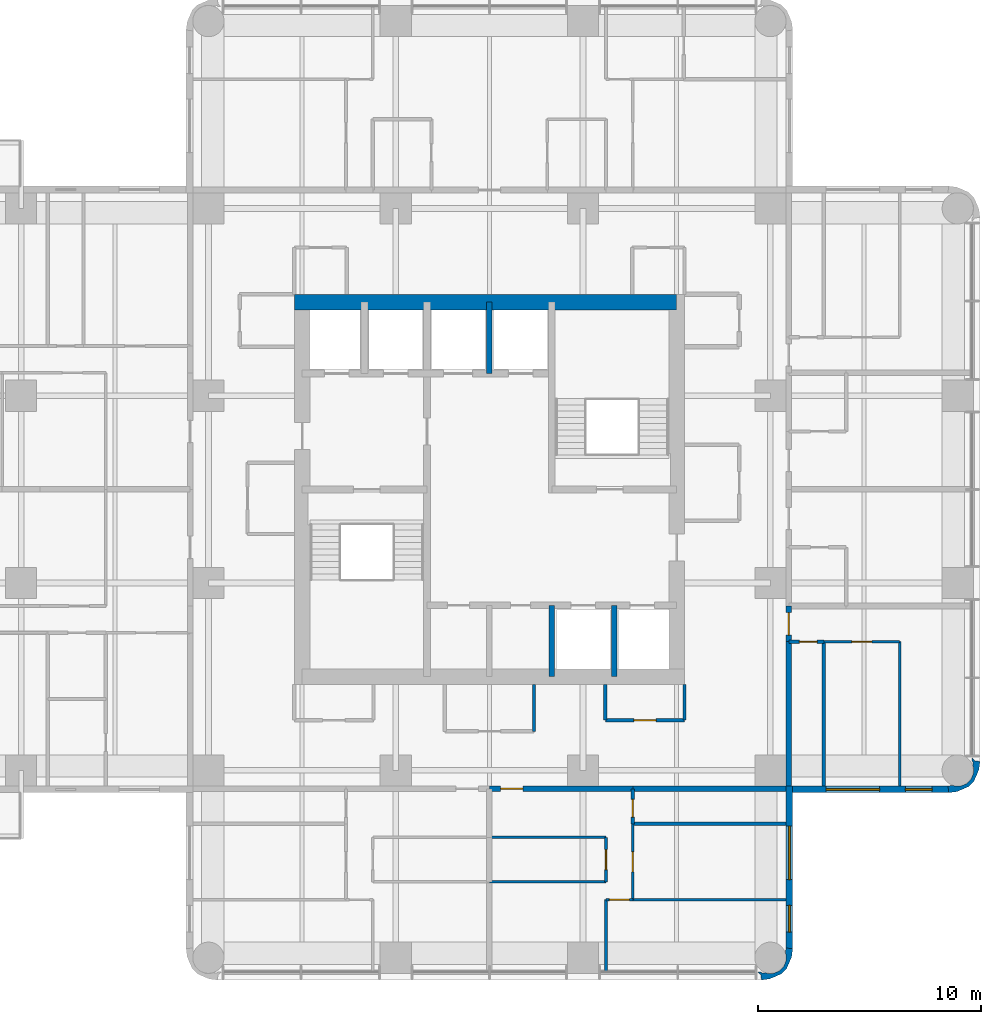
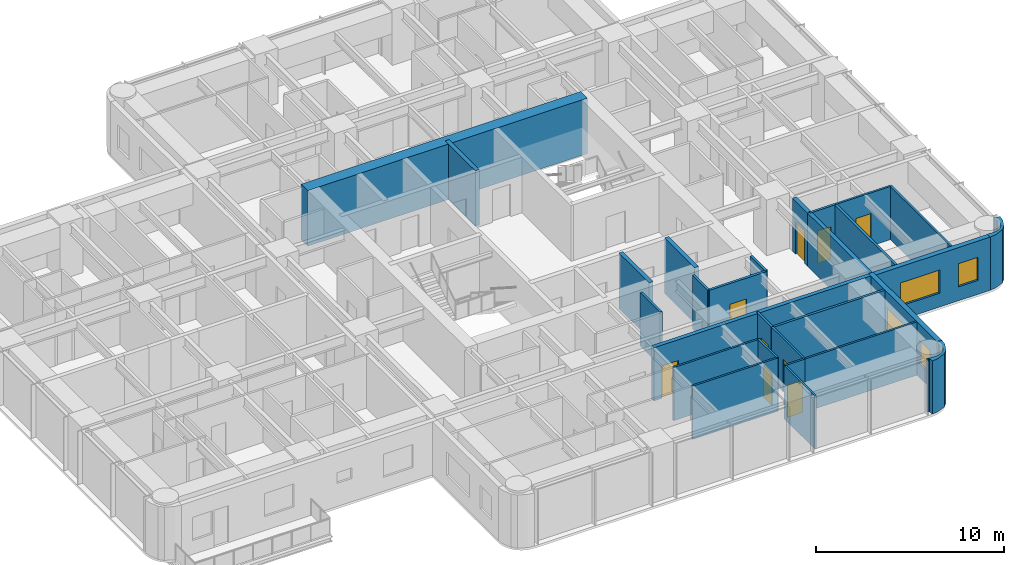
# One storey, part 7 of 11: 29 walls, 9 doors, 4 windows, 13 openings.
"""IFC4 building model written with IfcOpenShell, lengths in metres."""

from ifc_helpers import new_model, si_unit, direction, frame, frame_2d, origin, place, context, subcontext, project, spatial, polyline, rectangle, outline, extrude, material, layer, layer_set, type_object, element, fill, save


model = new_model("IFC4")

# Units and contexts
model_context = context("Model", 3, precision=1e-05, world=origin(), true_north=direction((0.0, 1.0)))
body_context = subcontext(model_context, "Body", "Model", "MODEL_VIEW")
ifc_project = project(units=[si_unit("LENGTHUNIT", "METRE"), si_unit("AREAUNIT", "SQUARE_METRE"), si_unit("VOLUMEUNIT", "CUBIC_METRE"), si_unit("PLANEANGLEUNIT", "RADIAN"), si_unit("MASSUNIT", "GRAM", prefix="KILO")], contexts=[model_context])

# Site, building, storey
site_placement = place(None, origin())
site = spatial("IfcSite", under=ifc_project, at=site_placement, CompositionType="ELEMENT")
building_placement = place(site_placement, origin())
building = spatial("IfcBuilding", under=site, at=building_placement, Name="Torre Alcanfor", CompositionType="ELEMENT")
storey_placement = place(building_placement, frame((0.0, 0.0, 230.10009765625)))
storey = spatial("IfcBuildingStorey", under=building, at=storey_placement, Name="L60", CompositionType="ELEMENT", Elevation=230.10009765625)

# Wall, opening, door
ifc_material_1 = material(Name="Concrete block masonry, hollow blocks NMX-C-404 9 MPa", Category="masonry")
ifc_layer_1 = layer(ifc_material_1, 0.25)
ifc_layer_set_1 = layer_set([ifc_layer_1], Name="Apartment entrance wall 250 EI 60")
wall_type_1 = type_object("IfcWallType", Name="Apartment entrance wall 250 EI 60", PredefinedType="PARTITIONING", material=ifc_layer_set_1)
wall_1_placement = place(storey_placement, frame((42.824951171875, 24.1708984375, 0.0), z_axis=(0.0, 0.0, 1.0), x_axis=(0.0, -1.0, 0.0)))
wall_1 = element("IfcWall", 1, at=wall_1_placement, inside=storey, type_object=wall_type_1, Name="Partition L60-CORR / L60-E2B-LIVING", PredefinedType="PARTITIONING", context=body_context, shape_type="SweptSolid", body=[
    extrude(rectangle(XDim=1.599853515625, YDim=0.25, at=frame_2d((0.7998046875, 0.0))), origin(), (0.0, 0.0, 1.0), 3.449951171875),
])
opening_1_placement = place(wall_1_placement, frame((0.300048828125, 0.0, 0.0)))
opening_1 = element("IfcOpeningElement", 2, at=opening_1_placement, cuts=wall_1, Name="Opening D-A1", PredefinedType="OPENING", context=body_context, shape_type="SweptSolid", body=[
    extrude(rectangle(XDim=1.0, YDim=2.10009765625, at=frame_2d((0.5, 1.050048828125))), frame((0.0, 0.135009765625, 0.0), z_axis=(0.0, -1.0, 0.0), x_axis=(1.0, 0.0, 0.0)), (0.0, 0.0, 1.0), 0.27001953125),
])
ifc_material_2 = material(Name="Galvanised steel sheet ASTM A653", Category="steel")
door_type_1 = type_object("IfcDoorType", Name="Apartment entrance door FD60 1000x2100", OperationType="SINGLE_SWING_LEFT", PredefinedType="DOOR", material=ifc_material_2)
door_1_placement = place(opening_1_placement, origin())
door_1 = element("IfcDoor", 3, at=door_1_placement, inside=storey, type_object=door_type_1, Name="Apartment entrance L60-E2B", OperationType="SINGLE_SWING_LEFT", OverallHeight=2.10009765625, OverallWidth=1.0, PredefinedType="DOOR", context=body_context, shape_type="SweptSolid", body=[
    extrude(rectangle(XDim=1.0, YDim=2.10009765625, at=frame_2d((0.5, 1.050048828125))), frame((0.0, 0.02490234375, 0.0), z_axis=(0.0, -1.0, 0.0), x_axis=(1.0, 0.0, 0.0)), (0.0, 0.0, 1.0), 0.050048828125),
])
fill(opening_1, door_1)

# Wall
wall_2_placement = place(storey_placement, frame((42.824951171875, 22.571044921875, 0.0), z_axis=(0.0, 0.0, 1.0), x_axis=(0.0, -1.0, 0.0)))
element("IfcWall", 4, at=wall_2_placement, inside=storey, type_object=wall_type_1, Name="Partition L60-CORR / L60-E2B-BATH", PredefinedType="PARTITIONING", context=body_context, shape_type="SweptSolid", body=[
    extrude(rectangle(XDim=6.470947265625, YDim=0.25, at=frame_2d((3.2353515625, 0.0))), origin(), (0.0, 0.0, 1.0), 3.449951171875),
])

# Wall, opening, door
wall_3_placement = place(storey_placement, frame((35.8291015625, 15.97509765625, 0.0), z_axis=(0.0, 0.0, 1.0), x_axis=(-1.0, 0.0, 0.0)))
wall_3 = element("IfcWall", 5, at=wall_3_placement, inside=storey, type_object=wall_type_1, Name="Partition L60-CORR / L60-S1-LIVING", PredefinedType="PARTITIONING", context=body_context, shape_type="SweptSolid", body=[
    extrude(rectangle(XDim=6.42919921875, YDim=0.25, at=frame_2d((3.214599609375, 0.0))), origin(), (0.0, 0.0, 1.0), 3.449951171875),
])
opening_2_placement = place(wall_3_placement, frame((4.928955078125, 0.0, 0.0)))
opening_2 = element("IfcOpeningElement", 6, at=opening_2_placement, cuts=wall_3, Name="Opening D-A1", PredefinedType="OPENING", context=body_context, shape_type="SweptSolid", body=[
    extrude(rectangle(XDim=1.0, YDim=2.10009765625, at=frame_2d((0.5, 1.050048828125))), frame((0.0, 0.135009765625, 0.0), z_axis=(0.0, -1.0, 0.0), x_axis=(1.0, 0.0, 0.0)), (0.0, 0.0, 1.0), 0.27001953125),
])
door_2_placement = place(opening_2_placement, origin())
door_2 = element("IfcDoor", 7, at=door_2_placement, inside=storey, type_object=door_type_1, Name="Apartment entrance L60-S1", OperationType="SINGLE_SWING_RIGHT", OverallHeight=2.10009765625, OverallWidth=1.0, PredefinedType="DOOR", context=body_context, shape_type="SweptSolid", body=[
    extrude(rectangle(XDim=1.0, YDim=2.10009765625, at=frame_2d((0.5, 1.050048828125))), frame((0.0, 0.02490234375, 0.0), z_axis=(0.0, -1.0, 0.0), x_axis=(1.0, 0.0, 0.0)), (0.0, 0.0, 1.0), 0.050048828125),
])
fill(opening_2, door_2)

# Walls
wall_4_placement = place(storey_placement, frame((42.699951171875, 15.97509765625, 0.0), z_axis=(0.0, 0.0, 1.0), x_axis=(-1.0, 0.0, 0.0)))
element("IfcWall", 8, at=wall_4_placement, inside=storey, type_object=wall_type_1, Name="Partition L60-CORR / L60-S1-BATH", PredefinedType="PARTITIONING", context=body_context, shape_type="SweptSolid", body=[
    extrude(rectangle(XDim=6.870849609375, YDim=0.25, at=frame_2d((3.435546875, 0.0))), origin(), (0.0, 0.0, 1.0), 3.449951171875),
])
ifc_material_3 = material(Name="Gypsum board on steel studs", Category="steel")
ifc_layer_2 = layer(ifc_material_3, 0.1201171875)
ifc_layer_set_2 = layer_set([ifc_layer_2], Name="Apartment partition 120")
wall_type_2 = type_object("IfcWallType", Name="Apartment partition 120", PredefinedType="PARTITIONING", material=ifc_layer_set_2)
wall_5_placement = place(storey_placement, frame((47.800048828125, 16.10009765625, 0.0), z_axis=(0.0, 0.0, 1.0), x_axis=(0.0, 1.0, 0.0)))
element("IfcWall", 9, at=wall_5_placement, inside=storey, type_object=wall_type_2, Name="Partition L60-E2B-LIVING / L60-E2B-MASTER", PredefinedType="PARTITIONING", context=body_context, shape_type="SweptSolid", body=[
    extrude(rectangle(XDim=6.470947265625, YDim=0.1201171875, at=frame_2d((3.2353515625, 0.0))), origin(), (0.0, 0.0, 1.0), 3.449951171875),
])

# Wall, opening, door
wall_6_placement = place(storey_placement, frame((47.800048828125, 22.571044921875, 0.0), z_axis=(0.0, 0.0, 1.0), x_axis=(-1.0, 0.0, 0.0)))
wall_6 = element("IfcWall", 10, at=wall_6_placement, inside=storey, type_object=wall_type_2, Name="Partition L60-E2B-LIVING / L60-E2B-MASTER", PredefinedType="PARTITIONING", context=body_context, shape_type="SweptSolid", body=[
    extrude(rectangle(XDim=3.400146484375, YDim=0.1201171875, at=frame_2d((1.7001953125, 0.0))), origin(), (0.0, 0.0, 1.0), 3.449951171875),
])
opening_3_placement = place(wall_6_placement, frame((1.25, 0.0, 0.0)))
opening_3 = element("IfcOpeningElement", 11, at=opening_3_placement, cuts=wall_6, Name="Opening D-R1", PredefinedType="OPENING", context=body_context, shape_type="SweptSolid", body=[
    extrude(rectangle(XDim=0.89990234375, YDim=2.10009765625, at=frame_2d((0.449951171875, 1.050048828125))), frame((0.0, 0.070068359375, 0.0), z_axis=(0.0, -1.0, 0.0), x_axis=(1.0, 0.0, 0.0)), (0.0, 0.0, 1.0), 0.14013671875),
])
ifc_material_4 = material(Name="Timber", Category="wood")
door_type_2 = type_object("IfcDoorType", Name="Internal door 900x2100", OperationType="SINGLE_SWING_LEFT", PredefinedType="DOOR", material=ifc_material_4)
door_3_placement = place(opening_3_placement, origin())
door_3 = element("IfcDoor", 12, at=door_3_placement, inside=storey, type_object=door_type_2, Name="Door L60-E2B master", OperationType="SINGLE_SWING_LEFT", OverallHeight=2.10009765625, OverallWidth=0.89990234375, PredefinedType="DOOR", context=body_context, shape_type="SweptSolid", body=[
    extrude(rectangle(XDim=0.89990234375, YDim=2.10009765625, at=frame_2d((0.449951171875, 1.050048828125))), frame((0.0, 0.02490234375, 0.0), z_axis=(0.0, -1.0, 0.0), x_axis=(1.0, 0.0, 0.0)), (0.0, 0.0, 1.0), 0.050048828125),
])
fill(opening_3, door_3)

# Wall
wall_7_placement = place(storey_placement, frame((29.39990234375, 11.800048828125, 0.0), z_axis=(0.0, 0.0, 1.0), x_axis=(1.0, 0.0, 0.0)))
element("IfcWall", 13, at=wall_7_placement, inside=storey, type_object=wall_type_2, Name="Partition L60-S1-KITCHEN / L60-S1-LIVING", PredefinedType="PARTITIONING", context=body_context, shape_type="SweptSolid", body=[
    extrude(rectangle(XDim=5.22900390625, YDim=0.1201171875, at=frame_2d((2.614501953125, 0.0))), origin(), (0.0, 0.0, 1.0), 3.449951171875),
])

# Wall, opening, door
wall_8_placement = place(storey_placement, frame((34.62890625, 11.800048828125, 0.0), z_axis=(0.0, 0.0, 1.0), x_axis=(0.0, 1.0, 0.0)))
wall_8 = element("IfcWall", 14, at=wall_8_placement, inside=storey, type_object=wall_type_2, Name="Partition L60-S1-KITCHEN / L60-S1-LIVING", PredefinedType="PARTITIONING", context=body_context, shape_type="SweptSolid", body=[
    extrude(rectangle(XDim=2.0, YDim=0.1201171875, at=frame_2d((1.0, 0.0))), origin(), (0.0, 0.0, 1.0), 3.449951171875),
])
opening_4_placement = place(wall_8_placement, frame((0.550048828125, 0.0, 0.0)))
opening_4 = element("IfcOpeningElement", 15, at=opening_4_placement, cuts=wall_8, Name="Opening D-R1", PredefinedType="OPENING", context=body_context, shape_type="SweptSolid", body=[
    extrude(rectangle(XDim=0.89990234375, YDim=2.10009765625, at=frame_2d((0.449951171875, 1.050048828125))), frame((0.0, 0.070068359375, 0.0), z_axis=(0.0, -1.0, 0.0), x_axis=(1.0, 0.0, 0.0)), (0.0, 0.0, 1.0), 0.14013671875),
])
door_4_placement = place(opening_4_placement, origin())
door_4 = element("IfcDoor", 16, at=door_4_placement, inside=storey, type_object=door_type_2, Name="Door L60-S1 kitchen", OperationType="SINGLE_SWING_LEFT", OverallHeight=2.10009765625, OverallWidth=0.89990234375, PredefinedType="DOOR", context=body_context, shape_type="SweptSolid", body=[
    extrude(rectangle(XDim=0.89990234375, YDim=2.10009765625, at=frame_2d((0.449951171875, 1.050048828125))), frame((0.0, 0.02490234375, 0.0), z_axis=(0.0, -1.0, 0.0), x_axis=(1.0, 0.0, 0.0)), (0.0, 0.0, 1.0), 0.050048828125),
])
fill(opening_4, door_4)

# Wall
wall_9_placement = place(storey_placement, frame((34.62890625, 13.800048828125, 0.0), z_axis=(0.0, 0.0, 1.0), x_axis=(-1.0, 0.0, 0.0)))
element("IfcWall", 17, at=wall_9_placement, inside=storey, type_object=wall_type_2, Name="Partition L60-S1-KITCHEN / L60-S1-LIVING", PredefinedType="PARTITIONING", context=body_context, shape_type="SweptSolid", body=[
    extrude(rectangle(XDim=5.22900390625, YDim=0.1201171875, at=frame_2d((2.614501953125, 0.0))), origin(), (0.0, 0.0, 1.0), 3.449951171875),
])

# Wall, opening, door
wall_10_placement = place(storey_placement, frame((35.8291015625, 14.39990234375, 0.0), z_axis=(0.0, 0.0, 1.0), x_axis=(0.0, -1.0, 0.0)))
wall_10 = element("IfcWall", 18, at=wall_10_placement, inside=storey, type_object=wall_type_2, Name="Partition L60-S1-LIVING / L60-S1-STUDY", PredefinedType="PARTITIONING", context=body_context, shape_type="SweptSolid", body=[
    extrude(rectangle(XDim=3.39990234375, YDim=0.1201171875, at=frame_2d((1.699951171875, 0.0))), origin(), (0.0, 0.0, 1.0), 3.449951171875),
])
opening_5_placement = place(wall_10_placement, frame((1.25, 0.0, 0.0)))
opening_5 = element("IfcOpeningElement", 19, at=opening_5_placement, cuts=wall_10, Name="Opening D-R1", PredefinedType="OPENING", context=body_context, shape_type="SweptSolid", body=[
    extrude(rectangle(XDim=0.89990234375, YDim=2.10009765625, at=frame_2d((0.449951171875, 1.050048828125))), frame((0.0, 0.070068359375, 0.0), z_axis=(0.0, -1.0, 0.0), x_axis=(1.0, 0.0, 0.0)), (0.0, 0.0, 1.0), 0.14013671875),
])
door_5_placement = place(opening_5_placement, origin())
door_5 = element("IfcDoor", 20, at=door_5_placement, inside=storey, type_object=door_type_2, Name="Door L60-S1 study", OperationType="SINGLE_SWING_LEFT", OverallHeight=2.10009765625, OverallWidth=0.89990234375, PredefinedType="DOOR", context=body_context, shape_type="SweptSolid", body=[
    extrude(rectangle(XDim=0.89990234375, YDim=2.10009765625, at=frame_2d((0.449951171875, 1.050048828125))), frame((0.0, 0.02490234375, 0.0), z_axis=(0.0, -1.0, 0.0), x_axis=(1.0, 0.0, 0.0)), (0.0, 0.0, 1.0), 0.050048828125),
])
fill(opening_5, door_5)

wall_11_placement = place(storey_placement, frame((35.8291015625, 11.0, 0.0), z_axis=(0.0, 0.0, 1.0), x_axis=(-1.0, 0.0, 0.0)))
wall_11 = element("IfcWall", 21, at=wall_11_placement, inside=storey, type_object=wall_type_2, Name="Partition L60-S1-LIVING / L60-S1-MASTER", PredefinedType="PARTITIONING", context=body_context, shape_type="SweptSolid", body=[
    extrude(rectangle(XDim=1.2001953125, YDim=0.1201171875, at=frame_2d((0.60009765625, 0.0))), origin(), (0.0, 0.0, 1.0), 3.449951171875),
])
opening_6_placement = place(wall_11_placement, frame((0.14892578125, 0.0, 0.0)))
opening_6 = element("IfcOpeningElement", 22, at=opening_6_placement, cuts=wall_11, Name="Opening D-R1", PredefinedType="OPENING", context=body_context, shape_type="SweptSolid", body=[
    extrude(rectangle(XDim=0.89990234375, YDim=2.10009765625, at=frame_2d((0.449951171875, 1.050048828125))), frame((0.0, 0.070068359375, 0.0), z_axis=(0.0, -1.0, 0.0), x_axis=(1.0, 0.0, 0.0)), (0.0, 0.0, 1.0), 0.14013671875),
])
door_6_placement = place(opening_6_placement, origin())
door_6 = element("IfcDoor", 23, at=door_6_placement, inside=storey, type_object=door_type_2, Name="Door L60-S1 master", OperationType="SINGLE_SWING_RIGHT", OverallHeight=2.10009765625, OverallWidth=0.89990234375, PredefinedType="DOOR", context=body_context, shape_type="SweptSolid", body=[
    extrude(rectangle(XDim=0.89990234375, YDim=2.10009765625, at=frame_2d((0.449951171875, 1.050048828125))), frame((0.0, 0.02490234375, 0.0), z_axis=(0.0, -1.0, 0.0), x_axis=(1.0, 0.0, 0.0)), (0.0, 0.0, 1.0), 0.050048828125),
])
fill(opening_6, door_6)

# Walls
wall_12_placement = place(storey_placement, frame((34.62890625, 11.0, 0.0), z_axis=(0.0, 0.0, 1.0), x_axis=(0.0, -1.0, 0.0)))
element("IfcWall", 24, at=wall_12_placement, inside=storey, type_object=wall_type_2, Name="Partition L60-S1-LIVING / L60-S1-MASTER", PredefinedType="PARTITIONING", context=body_context, shape_type="SweptSolid", body=[
    extrude(rectangle(XDim=3.25, YDim=0.1201171875, at=frame_2d((1.625, 0.0))), origin(), (0.0, 0.0, 1.0), 3.449951171875),
])
wall_13_placement = place(storey_placement, frame((35.8291015625, 11.0, 0.0), z_axis=(0.0, 0.0, 1.0), x_axis=(1.0, 0.0, 0.0)))
element("IfcWall", 25, at=wall_13_placement, inside=storey, type_object=wall_type_2, Name="Partition L60-S1-STUDY / L60-S1-MASTER", PredefinedType="PARTITIONING", context=body_context, shape_type="SweptSolid", body=[
    extrude(rectangle(XDim=6.870849609375, YDim=0.1201171875, at=frame_2d((3.435546875, 0.0))), origin(), (0.0, 0.0, 1.0), 3.449951171875),
])
ifc_material_5 = material(Name="Concrete f'c 70 MPa", Category="concrete")
ifc_layer_3 = layer(ifc_material_5, 0.25)
ifc_layer_set_3 = layer_set([ifc_layer_3], Name="Core shaft wall 250 f'c70")
wall_type_3 = type_object("IfcWallType", Name="Core shaft wall 250 f'c70", PredefinedType="SHEAR", material=ifc_layer_set_3)
for number, where, z_axis, x_axis, name in (
    (26, (32.199951171875, 21.0, 0.0), (0.0, 0.0, 1.0), (0.0, 1.0, 0.0), "Core wall X322S L60"),
    (27, (35.0, 21.0, 0.0), (0.0, 0.0, 1.0), (0.0, 1.0, 0.0), "Core wall X350S L60"),
    (28, (29.39990234375, 34.60009765625, 0.0), (0.0, 0.0, 1.0), (0.0, 1.0, 0.0), "Core wall X294N L60"),
):
    element("IfcWall", number, at=place(storey_placement, frame(where, z_axis=z_axis, x_axis=x_axis)), inside=storey, type_object=wall_type_3, Name=name, PredefinedType="SHEAR", context=body_context, shape_type="SweptSolid", body=[
        extrude(rectangle(XDim=3.199951171875, YDim=0.25, at=frame_2d((1.60009765625, 0.0))), origin(), (0.0, 0.0, 1.0), 3.599853515625),
    ])
ifc_material_6 = material(Name="Concrete f'c 70 MPa", Category="concrete")
ifc_layer_4 = layer(ifc_material_6, 0.699951171875)
ifc_layer_set_4 = layer_set([ifc_layer_4], Name="Core wall 700 f'c70")
wall_type_4 = type_object("IfcWallType", Name="Core wall 700 f'c70", PredefinedType="SHEAR", material=ifc_layer_set_4)
wall_14_placement = place(storey_placement, frame((37.800048828125, 37.800048828125, 0.0), z_axis=(0.0, 0.0, 1.0), x_axis=(-1.0, 0.0, 0.0)))
element("IfcWall", 29, at=wall_14_placement, inside=storey, type_object=wall_type_4, Name="Core wall OUT-N L60", PredefinedType="SHEAR", context=body_context, shape_type="SweptSolid", body=[
    extrude(rectangle(XDim=17.150146484375, YDim=0.699951171875, at=frame_2d((8.5751953125, 0.0))), origin(), (0.0, 0.0, 1.0), 3.599853515625),
])

# Wall, openings, windows
ifc_material_7 = material(Name="Limestone cladding", Category="masonry")
ifc_layer_5 = layer(ifc_material_7, 0.0400390625, Name="Facing")
ifc_material_8 = material(Name="Ventilated air cavity")
ifc_layer_6 = layer(ifc_material_8, 0.02001953125, ventilated=True, Name="Ventilated joint")
ifc_material_9 = material(Name="Mineral wool insulation", Category="insulation")
ifc_layer_7 = layer(ifc_material_9, 0.10009765625, Name="Insulation")
ifc_material_10 = material(Name="Concrete f'c 35 MPa", Category="concrete")
ifc_layer_8 = layer(ifc_material_10, 0.139892578125, Name="Backing")
ifc_layer_set_5 = layer_set([ifc_layer_5, ifc_layer_6, ifc_layer_7, ifc_layer_8], Name="External wall stone-clad 300")
wall_type_5 = type_object("IfcWallType", Name="External wall stone-clad 300", PredefinedType="SOLIDWALL", material=ifc_layer_set_5)
wall_15_placement = place(storey_placement, frame((42.85009765625, 8.800048828125, 0.0), z_axis=(0.0, 0.0, 1.0), x_axis=(0.0, 1.0, 0.0)))
wall_15 = element("IfcWall", 30, at=wall_15_placement, inside=storey, type_object=wall_type_5, Name="External wall L60 6", PredefinedType="SOLIDWALL", context=body_context, shape_type="SweptSolid", body=[
    extrude(rectangle(XDim=7.300048828125, YDim=0.300048828125, at=frame_2d((3.64990234375, 0.0))), origin(), (0.0, 0.0, 1.0), 3.449951171875),
])
opening_7_placement = place(wall_15_placement, frame((3.10009765625, 0.0, 0.89990234375)))
opening_7 = element("IfcOpeningElement", 31, at=opening_7_placement, cuts=wall_15, Name="Opening W1", PredefinedType="OPENING", context=body_context, shape_type="SweptSolid", body=[
    extrude(rectangle(XDim=2.39990234375, YDim=1.5, at=frame_2d((1.199951171875, 0.75))), frame((0.0, 0.159912109375, 0.0), z_axis=(0.0, -1.0, 0.0), x_axis=(1.0, 0.0, 0.0)), (0.0, 0.0, 1.0), 0.320068359375),
])
opening_8_placement = place(wall_15_placement, frame((0.75, 0.0, 0.89990234375)))
opening_8 = element("IfcOpeningElement", 32, at=opening_8_placement, cuts=wall_15, Name="Opening W4", PredefinedType="OPENING", context=body_context, shape_type="SweptSolid", body=[
    extrude(rectangle(XDim=1.199951171875, YDim=1.5, at=frame_2d((0.60009765625, 0.75))), frame((0.0, 0.159912109375, 0.0), z_axis=(0.0, -1.0, 0.0), x_axis=(1.0, 0.0, 0.0)), (0.0, 0.0, 1.0), 0.320068359375),
])
ifc_material_11 = material(Name="Aluminium frame with clear double glazing", Category="aluminium")
window_type_1 = type_object("IfcWindowType", Name="Window bedroom 1200x1500", PartitioningType="SINGLE_PANEL", PredefinedType="WINDOW", material=ifc_material_11)
window_1_placement = place(opening_8_placement, origin())
window_1 = element("IfcWindow", 33, at=window_1_placement, inside=storey, type_object=window_type_1, Name="Window W4 L60-S1", OverallHeight=1.5, OverallWidth=1.199951171875, PartitioningType="SINGLE_PANEL", PredefinedType="WINDOW", context=body_context, shape_type="SweptSolid", body=[
    extrude(rectangle(XDim=1.199951171875, YDim=1.5, at=frame_2d((0.60009765625, 0.75))), frame((0.0, 0.030029296875, 0.0), z_axis=(0.0, -1.0, 0.0), x_axis=(1.0, 0.0, 0.0)), (0.0, 0.0, 1.0), 0.06005859375),
])
fill(opening_8, window_1)
ifc_material_12 = material(Name="Aluminium frame with clear double glazing", Category="aluminium")
window_type_2 = type_object("IfcWindowType", Name="Window bedroom 2400x1500", PartitioningType="SINGLE_PANEL", PredefinedType="WINDOW", material=ifc_material_12)
window_2_placement = place(opening_7_placement, origin())
window_2 = element("IfcWindow", 34, at=window_2_placement, inside=storey, type_object=window_type_2, Name="Window W1 L60-S1", OverallHeight=1.5, OverallWidth=2.39990234375, PartitioningType="SINGLE_PANEL", PredefinedType="WINDOW", context=body_context, shape_type="SweptSolid", body=[
    extrude(rectangle(XDim=2.39990234375, YDim=1.5, at=frame_2d((1.199951171875, 0.75))), frame((0.0, 0.030029296875, 0.0), z_axis=(0.0, -1.0, 0.0), x_axis=(1.0, 0.0, 0.0)), (0.0, 0.0, 1.0), 0.06005859375),
])
fill(opening_7, window_2)

wall_16_placement = place(storey_placement, frame((43.0, 15.949951171875, 0.0), z_axis=(0.0, 0.0, 1.0), x_axis=(1.0, 0.0, 0.0)))
wall_16 = element("IfcWall", 35, at=wall_16_placement, inside=storey, type_object=wall_type_5, Name="External wall L60 7", PredefinedType="SOLIDWALL", context=body_context, shape_type="SweptSolid", body=[
    extrude(rectangle(XDim=7.0, YDim=0.300048828125, at=frame_2d((3.5, 0.0))), origin(), (0.0, 0.0, 1.0), 3.449951171875),
])
opening_9_placement = place(wall_16_placement, frame((1.5, 0.0, 0.89990234375)))
opening_9 = element("IfcOpeningElement", 36, at=opening_9_placement, cuts=wall_16, Name="Opening W1", PredefinedType="OPENING", context=body_context, shape_type="SweptSolid", body=[
    extrude(rectangle(XDim=2.39990234375, YDim=1.5, at=frame_2d((1.199951171875, 0.75))), frame((0.0, 0.159912109375, 0.0), z_axis=(0.0, -1.0, 0.0), x_axis=(1.0, 0.0, 0.0)), (0.0, 0.0, 1.0), 0.320068359375),
])
opening_10_placement = place(wall_16_placement, frame((5.050048828125, 0.0, 0.89990234375)))
opening_10 = element("IfcOpeningElement", 37, at=opening_10_placement, cuts=wall_16, Name="Opening W4", PredefinedType="OPENING", context=body_context, shape_type="SweptSolid", body=[
    extrude(rectangle(XDim=1.199951171875, YDim=1.5, at=frame_2d((0.60009765625, 0.75))), frame((0.0, 0.159912109375, 0.0), z_axis=(0.0, -1.0, 0.0), x_axis=(1.0, 0.0, 0.0)), (0.0, 0.0, 1.0), 0.320068359375),
])
window_3_placement = place(opening_10_placement, origin())
window_3 = element("IfcWindow", 38, at=window_3_placement, inside=storey, type_object=window_type_1, Name="Window W4 L60-E2", OverallHeight=1.5, OverallWidth=1.199951171875, PartitioningType="SINGLE_PANEL", PredefinedType="WINDOW", context=body_context, shape_type="SweptSolid", body=[
    extrude(rectangle(XDim=1.199951171875, YDim=1.5, at=frame_2d((0.60009765625, 0.75))), frame((0.0, 0.030029296875, 0.0), z_axis=(0.0, -1.0, 0.0), x_axis=(1.0, 0.0, 0.0)), (0.0, 0.0, 1.0), 0.06005859375),
])
fill(opening_10, window_3)
window_4_placement = place(opening_9_placement, origin())
window_4 = element("IfcWindow", 39, at=window_4_placement, inside=storey, type_object=window_type_2, Name="Window W1 L60-E2", OverallHeight=1.5, OverallWidth=2.39990234375, PartitioningType="SINGLE_PANEL", PredefinedType="WINDOW", context=body_context, shape_type="SweptSolid", body=[
    extrude(rectangle(XDim=2.39990234375, YDim=1.5, at=frame_2d((1.199951171875, 0.75))), frame((0.0, 0.030029296875, 0.0), z_axis=(0.0, -1.0, 0.0), x_axis=(1.0, 0.0, 0.0)), (0.0, 0.0, 1.0), 0.06005859375),
])
fill(opening_9, window_4)

# Walls
ifc_material_13 = material(Name="Concrete block masonry, hollow blocks NMX-C-404 9 MPa", Category="masonry")
ifc_layer_9 = layer(ifc_material_13, 0.14990234375)
ifc_layer_set_6 = layer_set([ifc_layer_9], Name="Residents' room partition 150")
wall_type_6 = type_object("IfcWallType", Name="Residents' room partition 150", PredefinedType="PARTITIONING", material=ifc_layer_set_6)
wall_17_placement = place(storey_placement, frame((31.39990234375, 18.550048828125, 0.0), z_axis=(0.0, 0.0, 1.0), x_axis=(0.0, 1.0, 0.0)))
element("IfcWall", 40, at=wall_17_placement, inside=storey, type_object=wall_type_6, Name="Partition L60-CORR / L60-G06", PredefinedType="PARTITIONING", context=body_context, shape_type="SweptSolid", body=[
    extrude(rectangle(XDim=2.099853515625, YDim=0.14990234375, at=frame_2d((1.0498046875, 0.0))), origin(), (0.0, 0.0, 1.0), 3.449951171875),
])
wall_18_placement = place(storey_placement, frame((34.60009765625, 20.64990234375, 0.0), z_axis=(0.0, 0.0, 1.0), x_axis=(0.0, -1.0, 0.0)))
element("IfcWall", 41, at=wall_18_placement, inside=storey, type_object=wall_type_6, Name="Partition L60-CORR / L60-G07", PredefinedType="PARTITIONING", context=body_context, shape_type="SweptSolid", body=[
    extrude(rectangle(XDim=1.599853515625, YDim=0.14990234375, at=frame_2d((0.7998046875, 0.0))), origin(), (0.0, 0.0, 1.0), 3.449951171875),
])

# Wall, opening, door
wall_19_placement = place(storey_placement, frame((34.60009765625, 19.050048828125, 0.0), z_axis=(0.0, 0.0, 1.0), x_axis=(1.0, 0.0, 0.0)))
wall_19 = element("IfcWall", 42, at=wall_19_placement, inside=storey, type_object=wall_type_6, Name="Partition L60-CORR / L60-G07", PredefinedType="PARTITIONING", context=body_context, shape_type="SweptSolid", body=[
    extrude(rectangle(XDim=3.5498046875, YDim=0.14990234375, at=frame_2d((1.77490234375, 0.0))), origin(), (0.0, 0.0, 1.0), 3.449951171875),
])
opening_11_placement = place(wall_19_placement, frame((1.27490234375, 0.0, 0.0)))
opening_11 = element("IfcOpeningElement", 43, at=opening_11_placement, cuts=wall_19, Name="Opening D-M1", PredefinedType="OPENING", context=body_context, shape_type="SweptSolid", body=[
    extrude(rectangle(XDim=1.0, YDim=2.10009765625, at=frame_2d((0.5, 1.050048828125))), frame((0.0, 0.0849609375, 0.0), z_axis=(0.0, -1.0, 0.0), x_axis=(1.0, 0.0, 0.0)), (0.0, 0.0, 1.0), 0.169921875),
])
ifc_material_14 = material(Name="Timber", Category="wood")
door_type_3 = type_object("IfcDoorType", Name="Residents' room door 1000x2100", OperationType="SINGLE_SWING_LEFT", PredefinedType="DOOR", material=ifc_material_14)
door_7_placement = place(opening_11_placement, origin())
door_7 = element("IfcDoor", 44, at=door_7_placement, inside=storey, type_object=door_type_3, Name="Door L60-G07 parcel room", OperationType="SINGLE_SWING_LEFT", OverallHeight=2.10009765625, OverallWidth=1.0, PredefinedType="DOOR", context=body_context, shape_type="SweptSolid", body=[
    extrude(rectangle(XDim=1.0, YDim=2.10009765625, at=frame_2d((0.5, 1.050048828125))), frame((0.0, 0.02490234375, 0.0), z_axis=(0.0, -1.0, 0.0), x_axis=(1.0, 0.0, 0.0)), (0.0, 0.0, 1.0), 0.050048828125),
])
fill(opening_11, door_7)

# Walls
wall_20_placement = place(storey_placement, frame((38.14990234375, 19.050048828125, 0.0), z_axis=(0.0, 0.0, 1.0), x_axis=(0.0, 1.0, 0.0)))
element("IfcWall", 45, at=wall_20_placement, inside=storey, type_object=wall_type_6, Name="Partition L60-CORR / L60-G07", PredefinedType="PARTITIONING", context=body_context, shape_type="SweptSolid", body=[
    extrude(rectangle(XDim=1.599853515625, YDim=0.14990234375, at=frame_2d((0.7998046875, 0.0))), origin(), (0.0, 0.0, 1.0), 3.449951171875),
])
ifc_layer_10 = layer(ifc_material_7, 0.0400390625, Name="Facing")
ifc_layer_11 = layer(ifc_material_8, 0.02001953125, ventilated=True, Name="Ventilated joint")
ifc_layer_12 = layer(ifc_material_9, 0.10009765625, Name="Insulation")
ifc_layer_13 = layer(ifc_material_10, 0.139892578125, Name="Backing")
ifc_layer_set_7 = layer_set([ifc_layer_10, ifc_layer_11, ifc_layer_12, ifc_layer_13], Name="Rounded corner pier stone-clad 300")
wall_type_7 = type_object("IfcWallType", Name="Rounded corner pier stone-clad 300", PredefinedType="SOLIDWALL", material=ifc_layer_set_7)
wall_21_placement = place(storey_placement, frame((41.487674505, 7.81184816, 0.0), z_axis=(0.0, 0.0, 1.0), x_axis=(0.439933741929, -0.898030234854, 0.0)))
element("IfcWall", 46, at=wall_21_placement, inside=storey, type_object=wall_type_7, Name="Corner pier L60 16", PredefinedType="SOLIDWALL", context=body_context, shape_type="SweptSolid", body=[
    extrude(outline(polyline([(-0.22211106405008596, 1.79285683715578), (-0.38963046514304167, 1.5408036407584151), (-0.3716523207929293, 1.5319963734639448), (-0.19468756344442484, 1.4143112499146666), (-0.11952867709650372, 1.4095716139925836), (0.13084986982823227, 1.2869143060622759), (0.31521775375122, 1.077790939273673), (0.4056918504372342, 0.8140758848288827), (0.38808178724257975, 0.5356161745678794), (0.2654244793122719, 0.2852376276431435), (0.2089428669679142, 0.23542648619150297), (0.14753391384334946, 0.052913590909571956), (0.10500025525893722, 0.07375029645990445), (0.031856974435347366, -0.07555599991115089), (0.1375846098688884, -0.03953909720776211), (0.1818140873587874, -0.00030939302076338215), (0.41939853572309777, -0.08026947549461516), (0.5358164427032454, 0.26614260505761644), (0.5587307592354187, 0.6309028220812384), (0.5547454122460747, 0.6510699721236227), (0.5663481591314005, 0.8356895887147825), (0.4554073490163316, 1.1591818423176052), (0.33330228334154954, 1.2978396679318425), (0.3239786746038034, 1.3165440299102549), (0.08230538830534162, 1.5907138760183892), (-0.22211106405008596, 1.79285683715578)])), origin(), (0.0, 0.0, 1.0), 3.449951171875),
])
wall_22_placement = place(storey_placement, frame((50.110315272, 16.075788181, 0.0), z_axis=(0.0, 0.0, 1.0), x_axis=(0.898030234854, -0.439933741929, 0.0)))
element("IfcWall", 47, at=wall_22_placement, inside=storey, type_object=wall_type_7, Name="Corner pier L60 17", PredefinedType="SOLIDWALL", context=body_context, shape_type="SweptSolid", body=[
    extrude(outline(polyline([(0.6635309497954787, 1.5768652207279077), (0.4261657470939745, 1.4970125439527688), (0.3820436753027886, 1.5360230024769612), (0.27620863417053443, 1.5722591508431565), (0.3493519149941243, 1.422952854472101), (0.3918855735785366, 1.4437895600224335), (0.45340193240181437, 1.2610574190776962), (0.5097761390474591, 1.211465523288862), (0.6324334469777668, 0.961086976364126), (0.6500435101724213, 0.6826272661031227), (0.5595694134864071, 0.41891221165833237), (0.3749822839006132, 0.2096814391710166), (0.12460373697587725, 0.08702413124070879), (0.0497715019894753, 0.08217265535453251), (-0.12751990672054841, -0.03540062823065235), (-0.14527880540785457, -0.04410048982640973), (0.02224059568510124, -0.2961536862237746), (0.3266570480405287, -0.09401072508638375), (0.5683303343389906, 0.18015912102175058), (0.5774346974139304, 0.19875607730145015), (0.6998664144502319, 0.3373020629515939), (0.8106998188665876, 0.6610135622172228), (0.7988778263184556, 0.8455257731096697), (0.8030824189706058, 0.8658003288507671), (0.7801681024384324, 1.230560545874389), (0.6635309497954787, 1.5768652207279077)])), origin(), (0.0, 0.0, 1.0), 3.449951171875),
])

# Wall, opening, door
ifc_material_15 = material(Name="Cement board on steel studs", Category="steel")
ifc_layer_14 = layer(ifc_material_15, 0.14990234375)
ifc_layer_set_8 = layer_set([ifc_layer_14], Name="Wet area partition 150")
wall_type_8 = type_object("IfcWallType", Name="Wet area partition 150", PredefinedType="PARTITIONING", material=ifc_layer_set_8)
wall_23_placement = place(storey_placement, frame((44.39990234375, 22.571044921875, 0.0), z_axis=(0.0, 0.0, 1.0), x_axis=(-1.0, 0.0, 0.0)))
wall_23 = element("IfcWall", 48, at=wall_23_placement, inside=storey, type_object=wall_type_8, Name="Partition L60-E2B-LIVING / L60-E2B-BATH", PredefinedType="PARTITIONING", context=body_context, shape_type="SweptSolid", body=[
    extrude(rectangle(XDim=1.574951171875, YDim=0.14990234375, at=frame_2d((0.78759765625, 0.0))), origin(), (0.0, 0.0, 1.0), 3.449951171875),
])
opening_12_placement = place(wall_23_placement, frame((0.300048828125, 0.0, 0.0)))
opening_12 = element("IfcOpeningElement", 49, at=opening_12_placement, cuts=wall_23, Name="Opening D-R2", PredefinedType="OPENING", context=body_context, shape_type="SweptSolid", body=[
    extrude(rectangle(XDim=0.800048828125, YDim=2.10009765625, at=frame_2d((0.39990234375, 1.050048828125))), frame((0.0, 0.0849609375, 0.0), z_axis=(0.0, -1.0, 0.0), x_axis=(1.0, 0.0, 0.0)), (0.0, 0.0, 1.0), 0.169921875),
])
ifc_material_16 = material(Name="Timber", Category="wood")
door_type_4 = type_object("IfcDoorType", Name="Bathroom door 800x2100", OperationType="SINGLE_SWING_LEFT", PredefinedType="DOOR", material=ifc_material_16)
door_8_placement = place(opening_12_placement, origin())
door_8 = element("IfcDoor", 50, at=door_8_placement, inside=storey, type_object=door_type_4, Name="Door L60-E2B bath", OperationType="SINGLE_SWING_LEFT", OverallHeight=2.10009765625, OverallWidth=0.800048828125, PredefinedType="DOOR", context=body_context, shape_type="SweptSolid", body=[
    extrude(rectangle(XDim=0.800048828125, YDim=2.10009765625, at=frame_2d((0.39990234375, 1.050048828125))), frame((0.0, 0.02490234375, 0.0), z_axis=(0.0, -1.0, 0.0), x_axis=(1.0, 0.0, 0.0)), (0.0, 0.0, 1.0), 0.050048828125),
])
fill(opening_12, door_8)

# Wall
wall_24_placement = place(storey_placement, frame((44.39990234375, 22.571044921875, 0.0), z_axis=(0.0, 0.0, 1.0), x_axis=(0.0, -1.0, 0.0)))
element("IfcWall", 51, at=wall_24_placement, inside=storey, type_object=wall_type_8, Name="Partition L60-E2B-BATH / L60-E2B-MASTER", PredefinedType="PARTITIONING", context=body_context, shape_type="SweptSolid", body=[
    extrude(rectangle(XDim=6.470947265625, YDim=0.14990234375, at=frame_2d((3.2353515625, 0.0))), origin(), (0.0, 0.0, 1.0), 3.449951171875),
])

# Wall, opening, door
wall_25_placement = place(storey_placement, frame((35.8291015625, 15.97509765625, 0.0), z_axis=(0.0, 0.0, 1.0), x_axis=(0.0, -1.0, 0.0)))
wall_25 = element("IfcWall", 52, at=wall_25_placement, inside=storey, type_object=wall_type_8, Name="Partition L60-S1-LIVING / L60-S1-BATH", PredefinedType="PARTITIONING", context=body_context, shape_type="SweptSolid", body=[
    extrude(rectangle(XDim=1.5751953125, YDim=0.14990234375, at=frame_2d((0.78759765625, 0.0))), origin(), (0.0, 0.0, 1.0), 3.449951171875),
])
opening_13_placement = place(wall_25_placement, frame((0.47509765625, 0.0, 0.0)))
opening_13 = element("IfcOpeningElement", 53, at=opening_13_placement, cuts=wall_25, Name="Opening D-R2", PredefinedType="OPENING", context=body_context, shape_type="SweptSolid", body=[
    extrude(rectangle(XDim=0.800048828125, YDim=2.10009765625, at=frame_2d((0.39990234375, 1.050048828125))), frame((0.0, 0.0849609375, 0.0), z_axis=(0.0, -1.0, 0.0), x_axis=(1.0, 0.0, 0.0)), (0.0, 0.0, 1.0), 0.169921875),
])
door_9_placement = place(opening_13_placement, origin())
door_9 = element("IfcDoor", 54, at=door_9_placement, inside=storey, type_object=door_type_4, Name="Door L60-S1 bath", OperationType="SINGLE_SWING_RIGHT", OverallHeight=2.10009765625, OverallWidth=0.800048828125, PredefinedType="DOOR", context=body_context, shape_type="SweptSolid", body=[
    extrude(rectangle(XDim=0.800048828125, YDim=2.10009765625, at=frame_2d((0.39990234375, 1.050048828125))), frame((0.0, 0.02490234375, 0.0), z_axis=(0.0, -1.0, 0.0), x_axis=(1.0, 0.0, 0.0)), (0.0, 0.0, 1.0), 0.050048828125),
])
fill(opening_13, door_9)

# Wall
wall_26_placement = place(storey_placement, frame((35.8291015625, 14.39990234375, 0.0), z_axis=(0.0, 0.0, 1.0), x_axis=(1.0, 0.0, 0.0)))
element("IfcWall", 55, at=wall_26_placement, inside=storey, type_object=wall_type_8, Name="Partition L60-S1-BATH / L60-S1-STUDY", PredefinedType="PARTITIONING", context=body_context, shape_type="SweptSolid", body=[
    extrude(rectangle(XDim=6.870849609375, YDim=0.14990234375, at=frame_2d((3.435546875, 0.0))), origin(), (0.0, 0.0, 1.0), 3.449951171875),
])

save(model, "model.ifc")
